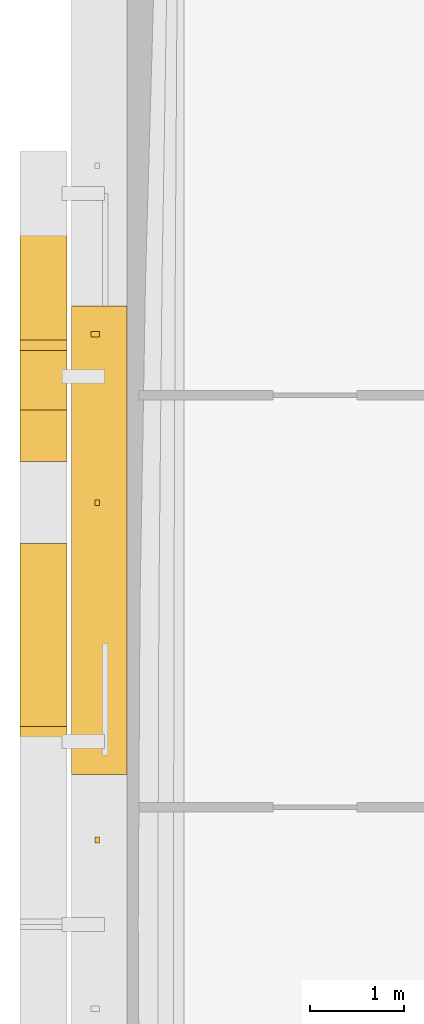
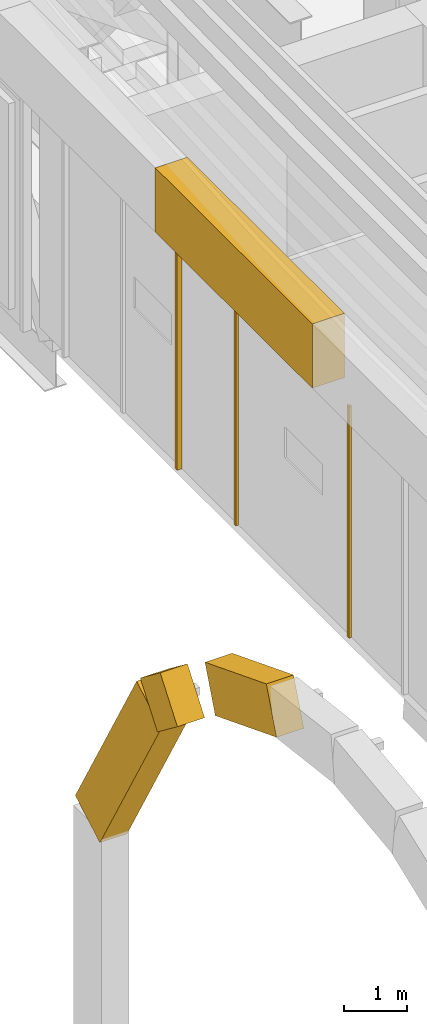
# One storey, part 23 of 38: 7 coverings.
"""IFC4 building model written with IfcOpenShell, lengths in metres."""

from ifc_helpers import new_model, si_unit, direction, frame, origin, origin_2d, place, context, subcontext, project, spatial, polyline, rectangle, outline, extrude, material, material_profile, profile_set, type_object, element, save


model = new_model("IFC4")

# Units and contexts
model_context = context("Model", 3, precision=1e-05, world=origin(), true_north=direction((0.0, 1.0)))
body_context = subcontext(model_context, "Body", "Model", "MODEL_VIEW")
ifc_project = project(units=[si_unit("LENGTHUNIT", "METRE"), si_unit("AREAUNIT", "SQUARE_METRE"), si_unit("VOLUMEUNIT", "CUBIC_METRE"), si_unit("PLANEANGLEUNIT", "RADIAN"), si_unit("MASSUNIT", "GRAM", prefix="KILO")], contexts=[model_context])

# Site, building, storey
site_placement = place(None, origin())
site = spatial("IfcSite", under=ifc_project, at=site_placement, CompositionType="ELEMENT")
building_placement = place(site_placement, origin())
building = spatial("IfcBuilding", under=site, at=building_placement, Name="Cobrizo Arcos Hotel Tower", CompositionType="ELEMENT")
storey_placement = place(building_placement, frame((0.0, 0.0, 138.0)))
storey = spatial("IfcBuildingStorey", under=building, at=storey_placement, Name="L35", CompositionType="ELEMENT", Elevation=138.0)

# Coverings
ifc_material = material(Name="Aluminium 6063-T6 anodised pale", Category="aluminium")
ifc_material_profile = material_profile(ifc_material, rectangle(XDim=0.5, YDim=0.89990234375, at=origin_2d()), Name="AF-2 core arch rim 500x900")
ifc_profile_set = profile_set([ifc_material_profile], Name="Aluminium 6063-T6 anodised pale")
covering_type_1 = type_object("IfcCoveringType", Name="AF-2 core arch rim 500x900", PredefinedType="CLADDING", material=ifc_profile_set)
covering_1_placement = place(storey_placement, frame((-23.699951171875, 1.949951171875, -1.778076171875), z_axis=(0.0, 0.931493782789, -0.363757244087), x_axis=(-1.0, 0.0, 0.0)))
element("IfcCovering", 1, at=covering_1_placement, inside=storey, type_object=covering_type_1, Name="Arch rim B W face", PredefinedType="CLADDING", context=body_context, shape_type="SweptSolid", body=[
    extrude(rectangle(XDim=0.5, YDim=0.89990234375, at=origin_2d()), origin(), (0.0, 0.0, 1.0), 2.09326171875),
])
covering_2_placement = place(storey_placement, frame((-23.699951171875, 5.21533203125, -3.54736328125), z_axis=(0.0, 0.793802879778, -0.60817512943), x_axis=(-1.0, 0.0, 0.0)))
element("IfcCovering", 2, at=covering_2_placement, inside=storey, type_object=covering_type_1, Name="Arch rim B W face", PredefinedType="CLADDING", context=body_context, shape_type="SweptSolid", body=[
    extrude(rectangle(XDim=0.5, YDim=0.89990234375, at=origin_2d()), origin(), (0.0, 0.0, 1.0), 0.799560546875),
])
covering_3_placement = place(storey_placement, frame((-23.699951171875, 5.85009765625, -4.03369140625), z_axis=(0.0, 0.497621047013, -0.867394543198), x_axis=(-1.0, 0.0, 0.0)))
element("IfcCovering", 3, at=covering_3_placement, inside=storey, type_object=covering_type_1, Name="Arch rim B W face", PredefinedType="CLADDING", context=body_context, shape_type="SweptSolid", body=[
    extrude(rectangle(XDim=0.5, YDim=0.89990234375, at=origin_2d()), origin(), (0.0, 0.0, 1.0), 3.91845703125),
])
covering_type_2 = type_object("IfcCoveringType", Name="LF-1 setback skirt", PredefinedType="CLADDING", material=ifc_material)
covering_4_placement = place(storey_placement, frame((0.0, 0.0, 4.5)))
element("IfcCovering", 4, at=covering_4_placement, inside=storey, type_object=covering_type_2, Name="Setback skirt L35", PredefinedType="CLADDING", context=body_context, shape_type="SweptSolid", body=[
    extrude(outline(polyline([(-22.81005859375, 1.60009765625), (-22.81005859375, 6.60009765625), (-23.39990234375, 6.60009765625), (-23.39990234375, 1.60009765625), (-22.81005859375, 1.60009765625)])), origin(), (0.0, 0.0, 1.0), 1.25),
])
covering_type_3 = type_object("IfcCoveringType", Name="RS-1 rainscreen rib 60x90", PredefinedType="CLADDING", material=ifc_material)
covering_5_placement = place(storey_placement, frame((-23.14501953125, 6.300048828125, 0.0), z_axis=(0.0, 0.0, 1.0), x_axis=(0.0, -1.0, 0.0)))
element("IfcCovering", 5, at=covering_5_placement, inside=storey, type_object=covering_type_3, Name="Rainscreen rib 53", PredefinedType="CLADDING", context=body_context, shape_type="SweptSolid", body=[
    extrude(rectangle(XDim=0.06005859375, YDim=0.090087890625, at=origin_2d()), origin(), (0.0, 0.0, 1.0), 4.5),
])
covering_type_4 = type_object("IfcCoveringType", Name="RS-2 rainscreen rib 60x50", PredefinedType="CLADDING", material=ifc_material)
for number, where, z_axis, x_axis, name in (
    (6, (-23.125, 4.5, 0.0), (0.0, 0.0, 1.0), (0.0, -1.0, 0.0), "Rainscreen rib 54"),
    (7, (-23.125, 0.89990234375, 0.0), (0.0, 0.0, 1.0), (0.0, -1.0, 0.0), "Rainscreen rib 55"),
):
    element("IfcCovering", number, at=place(storey_placement, frame(where, z_axis=z_axis, x_axis=x_axis)), inside=storey, type_object=covering_type_4, Name=name, PredefinedType="CLADDING", context=body_context, shape_type="SweptSolid", body=[
        extrude(rectangle(XDim=0.06005859375, YDim=0.050048828125, at=origin_2d()), origin(), (0.0, 0.0, 1.0), 4.5),
    ])

save(model, "model.ifc")
